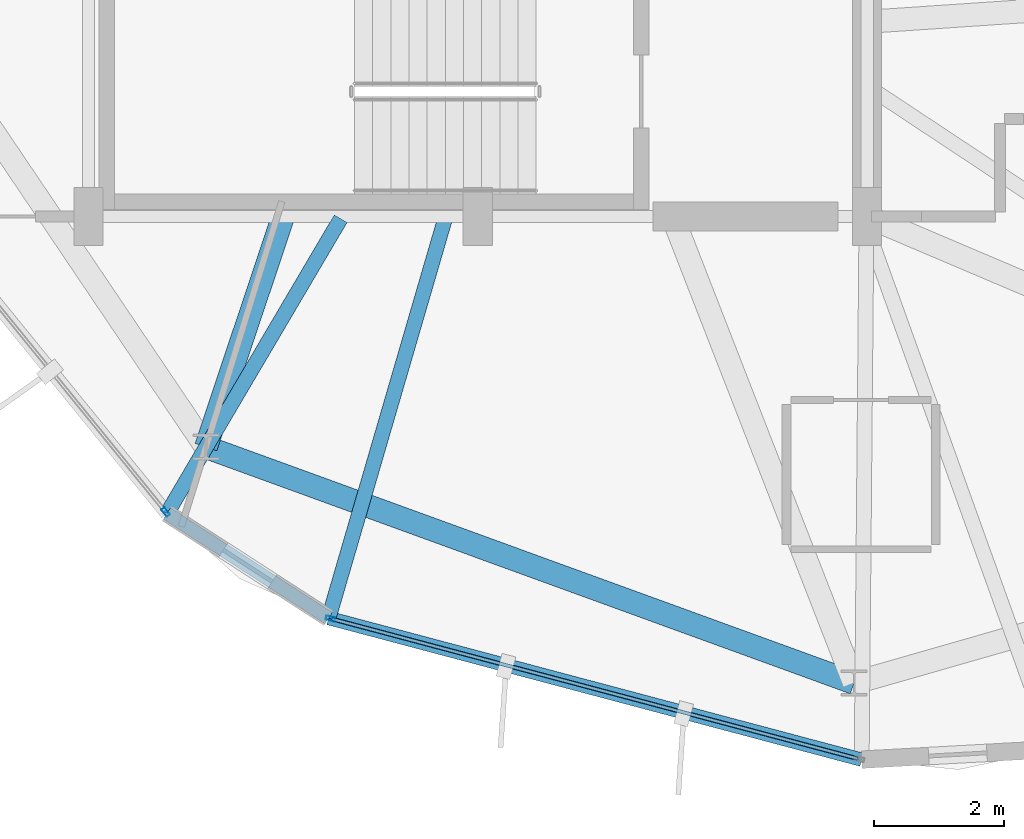
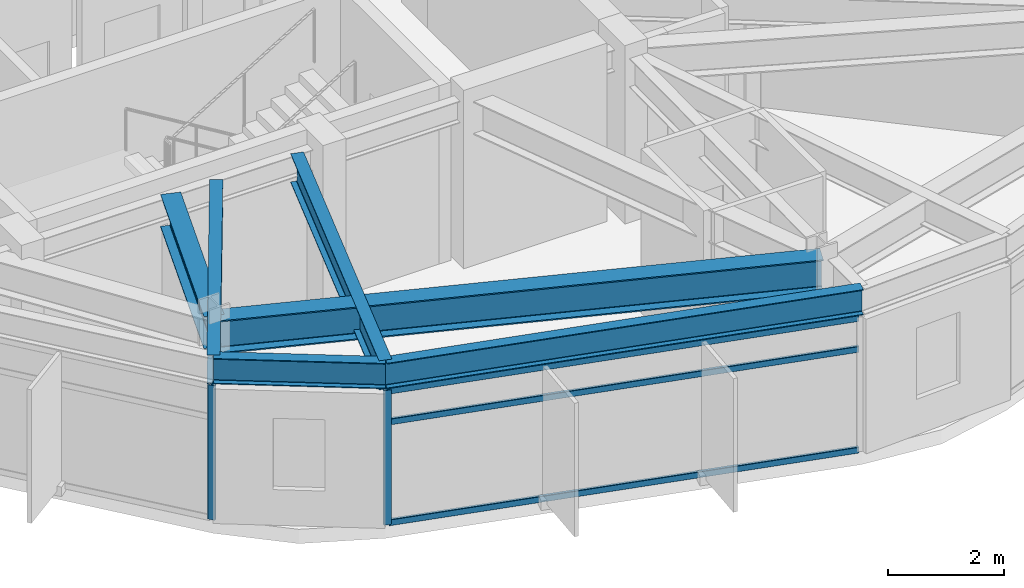
# One storey, part 2 of 26: 6 beams, 5 members, 2 elements without a shape of their own.
"""IFC4 building model written with IfcOpenShell, lengths in metres."""

from ifc_helpers import new_model, si_unit, direction, frame, origin, origin_2d, place, context, subcontext, project, spatial, hollow_rectangle, i_section, extrude, material, layer, layer_set, material_profile, profile_set, type_object, element, aggregate, save


model = new_model("IFC4")

# Units and contexts
model_context = context("Model", 3, precision=1e-05, world=origin(), true_north=direction((0.0, 1.0)))
body_context = subcontext(model_context, "Body", "Model", "MODEL_VIEW")
ifc_project = project(units=[si_unit("LENGTHUNIT", "METRE"), si_unit("AREAUNIT", "SQUARE_METRE"), si_unit("VOLUMEUNIT", "CUBIC_METRE"), si_unit("PLANEANGLEUNIT", "RADIAN"), si_unit("MASSUNIT", "GRAM", prefix="KILO")], contexts=[model_context])

# Site, building, storey
site_placement = place(None, origin())
site = spatial("IfcSite", under=ifc_project, at=site_placement, CompositionType="ELEMENT")
building_placement = place(site_placement, origin())
building = spatial("IfcBuilding", under=site, at=building_placement, Name="Soratama Intermodal Tower", CompositionType="ELEMENT")
storey_placement = place(building_placement, frame((0.0, 0.0, 242.5)))
storey = spatial("IfcBuildingStorey", under=building, at=storey_placement, Name="L61", CompositionType="ELEMENT", Elevation=242.5)

# Beams
ifc_material_1 = material(Name="Structural steel ASTM A992 Grade 50", Category="steel")
ifc_material_profile_1 = material_profile(ifc_material_1, i_section(OverallWidth=0.35498046875, OverallDepth=0.695068359375, WebThickness=0.015380859375, FlangeThickness=0.02490234375, FilletRadius=0.01611328125, at=origin_2d()), Name="W27X146")
ifc_profile_set_1 = profile_set([ifc_material_profile_1], Name="Structural steel ASTM A992 Grade 50")
beam_type_1 = type_object("IfcBeamType", Name="BM-RING-W27X146", PredefinedType="BEAM", material=ifc_profile_set_1)
beam_1_placement = place(storey_placement, frame((34.410888671875, 11.446044921875, 3.1025390625), z_axis=(0.939713598519, -0.341962501976, 0.0), x_axis=(0.341962501976, 0.939713598519, 0.0)))
element("IfcBeam", 1, at=beam_1_placement, inside=storey, type_object=beam_type_1, Name="BM-L61-RING-07", PredefinedType="BEAM", context=body_context, shape_type="SweptSolid", body=[
    extrude(i_section(OverallWidth=0.35498046875, OverallDepth=0.695068359375, WebThickness=0.015380859375, FlangeThickness=0.02490234375, FilletRadius=0.01611328125, at=origin_2d()), origin(), (0.0, 0.0, 1.0), 10.6298828125),
])
beam_2_placement = place(storey_placement, frame((35.60009765625, 15.0, 3.1025390625), z_axis=(-0.317321993996, -0.948317853953, 0.0), x_axis=(0.948317853953, -0.317321993996, 0.0)))
element("IfcBeam", 2, at=beam_2_placement, inside=storey, type_object=beam_type_1, Name="BM-L61-RAD-07", PredefinedType="BEAM", context=body_context, shape_type="SweptSolid", body=[
    extrude(i_section(OverallWidth=0.35498046875, OverallDepth=0.695068359375, WebThickness=0.015380859375, FlangeThickness=0.02490234375, FilletRadius=0.01611328125, at=origin_2d()), origin(), (0.0, 0.0, 1.0), 3.74755859375),
])
ifc_material_2 = material(Name="Structural steel ASTM A992 Grade 50", Category="steel")
ifc_material_profile_2 = material_profile(ifc_material_2, i_section(OverallWidth=0.2099609375, OverallDepth=0.537109375, WebThickness=0.010986328125, FlangeThickness=0.017333984375, FilletRadius=0.012939453125, at=origin_2d()), Name="W21X68")
ifc_profile_set_2 = profile_set([ifc_material_profile_2], Name="Structural steel ASTM A992 Grade 50")
beam_type_2 = type_object("IfcBeamType", Name="BM-SPN-W21X68", PredefinedType="SPANDREL", material=ifc_profile_set_2)
beam_3_placement = place(storey_placement, frame((33.81005859375, 10.422119140625, 3.181396484375), z_axis=(0.839680538789, -0.543080650345, 0.0), x_axis=(0.543080650345, 0.839680538789, 0.0)))
element("IfcBeam", 3, at=beam_3_placement, inside=storey, type_object=beam_type_2, Name="BS-L61-CRN05", PredefinedType="SPANDREL", context=body_context, shape_type="SweptSolid", body=[
    extrude(i_section(OverallWidth=0.2099609375, OverallDepth=0.537109375, WebThickness=0.010986328125, FlangeThickness=0.017333984375, FilletRadius=0.012939453125, at=origin_2d()), origin(), (0.0, 0.0, 1.0), 2.966552734375),
])
beam_4_placement = place(storey_placement, frame((36.301025390625, 8.81103515625, 3.181396484375), z_axis=(0.966456726807, -0.25682950611, 0.0), x_axis=(0.25682950611, 0.966456726807, 0.0)))
element("IfcBeam", 4, at=beam_4_placement, inside=storey, type_object=beam_type_2, Name="BS-L61-F06", PredefinedType="SPANDREL", context=body_context, shape_type="SweptSolid", body=[
    extrude(i_section(OverallWidth=0.2099609375, OverallDepth=0.537109375, WebThickness=0.010986328125, FlangeThickness=0.017333984375, FilletRadius=0.012939453125, at=origin_2d()), origin(), (0.0, 0.0, 1.0), 8.500244140625),
])
ifc_material_3 = material(Name="Structural steel ASTM A992 Grade 50", Category="steel")
ifc_material_profile_3 = material_profile(ifc_material_3, i_section(OverallWidth=0.22900390625, OverallDepth=0.612060546875, WebThickness=0.011962890625, FlangeThickness=0.01953125, FilletRadius=0.012939453125, at=origin_2d()), Name="W24X84")
ifc_profile_set_3 = profile_set([ifc_material_profile_3], Name="Structural steel ASTM A992 Grade 50")
beam_type_3 = type_object("IfcBeamType", Name="BM-TIE-W24X84", PredefinedType="BEAM", material=ifc_profile_set_3)
beam_5_placement = place(storey_placement, frame((36.487060546875, 14.966064453125, 3.14404296875), z_axis=(-0.50759658604, -0.861594861777, 0.0), x_axis=(0.861594861777, -0.50759658604, 0.0)))
element("IfcBeam", 5, at=beam_5_placement, inside=storey, type_object=beam_type_3, Name="BM-L61-TIE1-05", PredefinedType="BEAM", context=body_context, shape_type="SweptSolid", body=[
    extrude(i_section(OverallWidth=0.22900390625, OverallDepth=0.612060546875, WebThickness=0.011962890625, FlangeThickness=0.01953125, FilletRadius=0.012939453125, at=origin_2d()), origin(), (0.0, 0.0, 1.0), 5.27392578125),
])
beam_6_placement = place(storey_placement, frame((38.093994140625, 14.9619140625, 3.14404296875), z_axis=(-0.279850742886, -0.960043520735, 0.0), x_axis=(0.960043520735, -0.279850742886, 0.0)))
element("IfcBeam", 6, at=beam_6_placement, inside=storey, type_object=beam_type_3, Name="BM-L61-TIE0-06", PredefinedType="BEAM", context=body_context, shape_type="SweptSolid", body=[
    extrude(i_section(OverallWidth=0.22900390625, OverallDepth=0.612060546875, WebThickness=0.011962890625, FlangeThickness=0.01953125, FilletRadius=0.012939453125, at=origin_2d()), origin(), (0.0, 0.0, 1.0), 6.406982421875),
])

# Curtain wall, member
ifc_material_4 = material(Name="Double-glazed aluminium curtain wall", Category="aluminium")
ifc_layer = layer(ifc_material_4, 0.159912109375)
ifc_layer_set = layer_set([ifc_layer], Name="Double-glazed aluminium curtain wall")
curtain_wall_type = type_object("IfcCurtainWallType", Name="CW-SYS-5", PredefinedType="NOTDEFINED", material=ifc_layer_set)
curtain_wall_1_placement = place(storey_placement, origin())
curtain_wall_1 = element("IfcCurtainWall", 7, at=curtain_wall_1_placement, inside=storey, type_object=curtain_wall_type, Name="L61 Faceted Curtain Wall F05", PredefinedType="NOTDEFINED")
ifc_material_5 = material(Name="Anodised aluminium AA 6063-T6", Category="aluminium")
ifc_material_profile_4 = material_profile(ifc_material_5, hollow_rectangle(XDim=0.06494140625, YDim=0.139892578125, WallThickness=0.0048828125, InnerFilletRadius=0.0048828125, OuterFilletRadius=0.010009765625, at=origin_2d()), Name="CWM140X65X5")
ifc_profile_set_4 = profile_set([ifc_material_profile_4], Name="Anodised aluminium AA 6063-T6")
member_type_1 = type_object("IfcMemberType", Name="MT-CWM-5", PredefinedType="MULLION", material=ifc_profile_set_4)
member_1_placement = place(storey_placement, frame((33.790771484375, 10.44482421875, 0.0), z_axis=(0.0, 0.0, 1.0), x_axis=(0.775824220588, 0.630949109477, 0.0)))
member_1 = element("IfcMember", 8, at=member_1_placement, type_object=member_type_1, Name="CW-5 mullion 2", PredefinedType="MULLION", context=body_context, shape_type="SweptSolid", body=[
    extrude(hollow_rectangle(XDim=0.06494140625, YDim=0.139892578125, WallThickness=0.0048828125, InnerFilletRadius=0.0048828125, OuterFilletRadius=0.010009765625, at=origin_2d()), origin(), (0.0, 0.0, 1.0), 2.8291015625),
])
aggregate(curtain_wall_1, [member_1])

# Curtain wall, members
curtain_wall_2_placement = place(storey_placement, origin())
curtain_wall_2 = element("IfcCurtainWall", 9, at=curtain_wall_2_placement, inside=storey, type_object=curtain_wall_type, Name="L61 Faceted Curtain Wall F06", PredefinedType="NOTDEFINED")
member_2_placement = place(storey_placement, frame((36.330078125, 8.803466796875, 0.0), z_axis=(0.0, 0.0, 1.0), x_axis=(0.256793356401, 0.966466332631, 0.0)))
member_2 = element("IfcMember", 10, at=member_2_placement, type_object=member_type_1, Name="CW-5 mullion 1", PredefinedType="MULLION", context=body_context, shape_type="SweptSolid", body=[
    extrude(hollow_rectangle(XDim=0.06494140625, YDim=0.139892578125, WallThickness=0.0048828125, InnerFilletRadius=0.0048828125, OuterFilletRadius=0.010009765625, at=origin_2d()), origin(), (0.0, 0.0, 1.0), 2.8291015625),
])
ifc_material_6 = material(Name="Anodised aluminium AA 6063-T6", Category="aluminium")
ifc_material_profile_5 = material_profile(ifc_material_6, hollow_rectangle(XDim=0.06005859375, YDim=0.1298828125, WallThickness=0.0048828125, InnerFilletRadius=0.0048828125, OuterFilletRadius=0.010009765625, at=origin_2d()), Name="CWT130X60X5")
ifc_profile_set_5 = profile_set([ifc_material_profile_5], Name="Anodised aluminium AA 6063-T6")
member_type_2 = type_object("IfcMemberType", Name="TT-CWT-2", PredefinedType="USERDEFINED", material=ifc_profile_set_5)
member_3_placement = place(storey_placement, frame((36.359130859375, 8.795654296875, 0.030029296875), z_axis=(0.966467617605, -0.256788520229, 0.0), x_axis=(0.256788520229, 0.966467617605, 0.0)))
member_3 = element("IfcMember", 11, at=member_3_placement, type_object=member_type_2, Name="CW-5 transom 1.1", ObjectType="TRANSOM", PredefinedType="USERDEFINED", context=body_context, shape_type="SweptSolid", body=[
    extrude(hollow_rectangle(XDim=0.06005859375, YDim=0.1298828125, WallThickness=0.0048828125, InnerFilletRadius=0.0048828125, OuterFilletRadius=0.010009765625, at=origin_2d()), origin(), (0.0, 0.0, 1.0), 8.3798828125),
])
member_4_placement = place(storey_placement, frame((36.359130859375, 8.795654296875, 2.14990234375), z_axis=(0.966467617605, -0.256788520229, 0.0), x_axis=(0.256788520229, 0.966467617605, 0.0)))
member_4 = element("IfcMember", 12, at=member_4_placement, type_object=member_type_2, Name="CW-5 transom 1.2", ObjectType="TRANSOM", PredefinedType="USERDEFINED", context=body_context, shape_type="SweptSolid", body=[
    extrude(hollow_rectangle(XDim=0.06005859375, YDim=0.1298828125, WallThickness=0.0048828125, InnerFilletRadius=0.0048828125, OuterFilletRadius=0.010009765625, at=origin_2d()), origin(), (0.0, 0.0, 1.0), 8.3798828125),
])
member_5_placement = place(storey_placement, frame((36.359130859375, 8.795654296875, 2.799072265625), z_axis=(0.966467617605, -0.256788520229, 0.0), x_axis=(0.256788520229, 0.966467617605, 0.0)))
member_5 = element("IfcMember", 13, at=member_5_placement, type_object=member_type_2, Name="CW-5 transom 1.3", ObjectType="TRANSOM", PredefinedType="USERDEFINED", context=body_context, shape_type="SweptSolid", body=[
    extrude(hollow_rectangle(XDim=0.06005859375, YDim=0.1298828125, WallThickness=0.0048828125, InnerFilletRadius=0.0048828125, OuterFilletRadius=0.010009765625, at=origin_2d()), origin(), (0.0, 0.0, 1.0), 8.3798828125),
])
aggregate(curtain_wall_2, [member_2, member_3, member_4, member_5])

save(model, "model.ifc")
